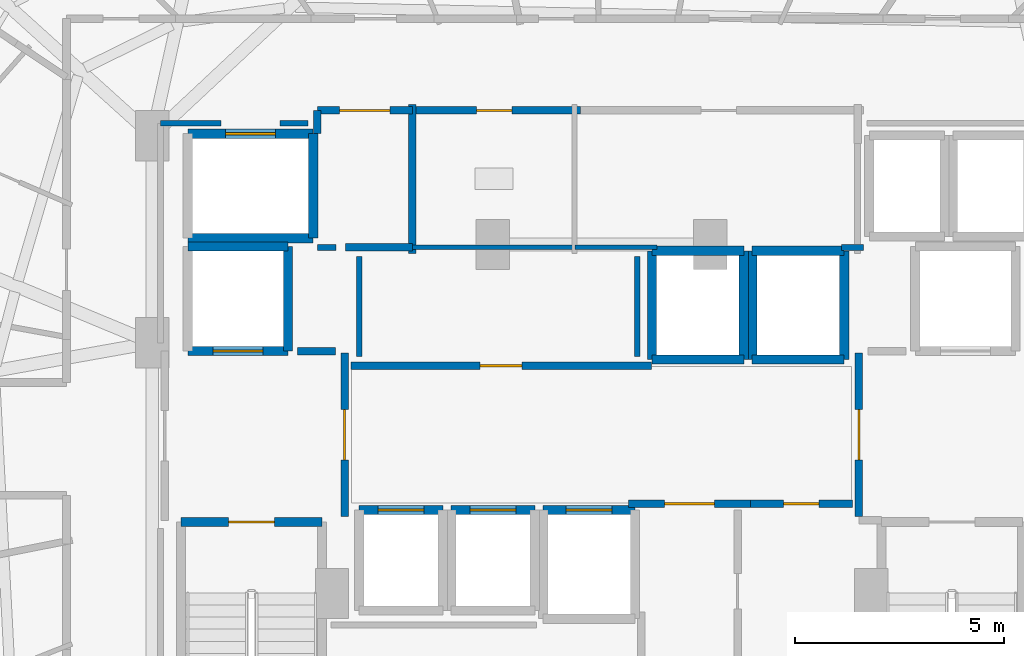
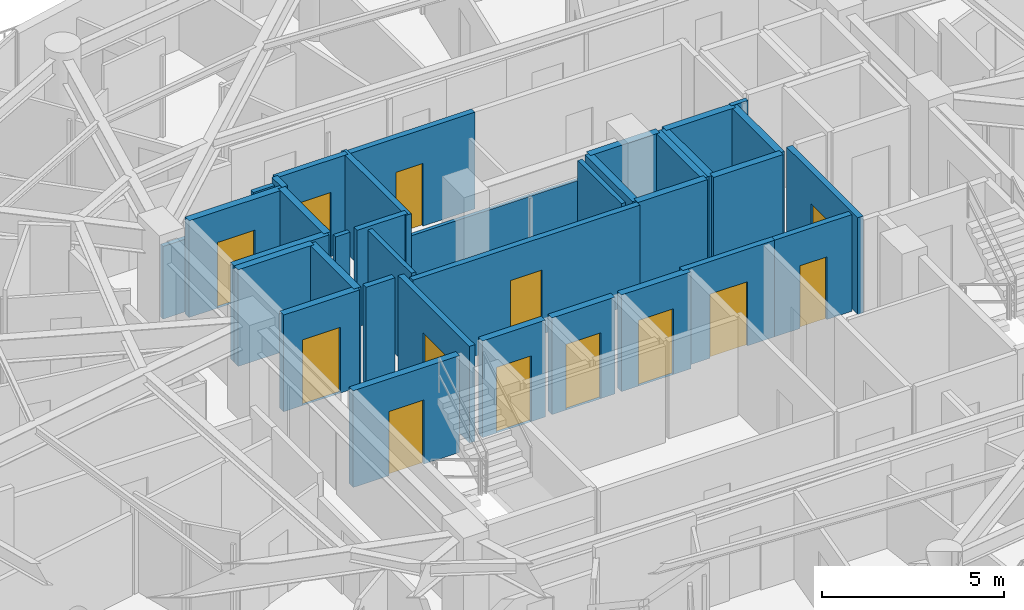
# One storey, part 23 of 30: 37 walls, 13 doors, 13 openings.
"""IFC4 building model written with IfcOpenShell, lengths in metres."""

from ifc_helpers import new_model, si_unit, direction, frame, frame_2d, origin, place, context, subcontext, project, spatial, rectangle, extrude, material, layer, layer_set, type_object, element, fill, save


model = new_model("IFC4")

# Units and contexts
model_context = context("Model", 3, precision=1e-05, world=origin(), true_north=direction((0.0, 1.0)))
body_context = subcontext(model_context, "Body", "Model", "MODEL_VIEW")
ifc_project = project(units=[si_unit("LENGTHUNIT", "METRE"), si_unit("AREAUNIT", "SQUARE_METRE"), si_unit("VOLUMEUNIT", "CUBIC_METRE"), si_unit("PLANEANGLEUNIT", "RADIAN"), si_unit("MASSUNIT", "GRAM", prefix="KILO")], contexts=[model_context])

# Site, building, storey
site_placement = place(None, origin())
site = spatial("IfcSite", under=ifc_project, at=site_placement, CompositionType="ELEMENT")
building_placement = place(site_placement, origin())
building = spatial("IfcBuilding", under=site, at=building_placement, Name="Vorneva Point Tower", CompositionType="ELEMENT")
storey_placement = place(building_placement, frame((0.0, 0.0, 153.60009765625)))
storey = spatial("IfcBuildingStorey", under=building, at=storey_placement, Name="L41", CompositionType="ELEMENT", Elevation=153.60009765625)

# Wall, opening, door
ifc_material_1 = material(Name="Concrete B60 (C50/60)", Category="concrete")
ifc_layer_1 = layer(ifc_material_1, 0.5)
ifc_layer_set_1 = layer_set([ifc_layer_1], Name="Concrete B60 (C50/60)")
wall_type_1 = type_object("IfcWallType", Name="WL-CORE-500", PredefinedType="SHEAR", material=ifc_layer_set_1)
wall_1_placement = place(storey_placement, frame((28.10009765625, 28.0, 0.0), z_axis=(0.0, 0.0, 1.0), x_axis=(1.0, 0.0, 0.0)))
wall_1 = element("IfcWall", 1, at=wall_1_placement, inside=storey, type_object=wall_type_1, Name="L41 Lift FFL1 Shaft Wall -Y", PredefinedType="SHEAR", context=body_context, shape_type="SweptSolid", body=[
    extrude(rectangle(XDim=2.39990234375, YDim=0.219970703125, at=frame_2d((1.199951171875, 0.0))), origin(), (0.0, 0.0, 1.0), 3.239990234375),
])
opening_1_placement = place(wall_1_placement, frame((0.60009765625, 0.0, 0.0)))
opening_1 = element("IfcOpeningElement", 2, at=opening_1_placement, cuts=wall_1, Name="Opening LD-02", PredefinedType="OPENING", context=body_context, shape_type="SweptSolid", body=[
    extrude(rectangle(XDim=1.199951171875, YDim=2.199951171875, at=frame_2d((0.60009765625, 1.10009765625))), frame((0.0, 0.125, 0.0), z_axis=(0.0, -1.0, 0.0), x_axis=(1.0, 0.0, 0.0)), (0.0, 0.0, 1.0), 0.249755859375),
])
ifc_material_2 = material(Name="Brushed stainless steel S304", Category="steel")
door_type_1 = type_object("IfcDoorType", Name="LD-FIRE-1200", OperationType="SLIDING_TO_LEFT", PredefinedType="DOOR", material=ifc_material_2)
door_1_placement = place(opening_1_placement, origin())
door_1 = element("IfcDoor", 3, at=door_1_placement, inside=storey, type_object=door_type_1, Name="L41 Lift FFL1 Sliding Landing Door", OperationType="SLIDING_TO_LEFT", OverallHeight=2.199951171875, OverallWidth=1.199951171875, PredefinedType="DOOR", context=body_context, shape_type="SweptSolid", body=[
    extrude(rectangle(XDim=1.199951171875, YDim=2.199951171875, at=frame_2d((0.60009765625, 1.10009765625))), frame((0.0, 0.02490234375, 0.0), z_axis=(0.0, -1.0, 0.0), x_axis=(1.0, 0.0, 0.0)), (0.0, 0.0, 1.0), 0.050048828125),
])
fill(opening_1, door_1)

# Walls
wall_2_placement = place(storey_placement, frame((30.5, 28.0, 0.0), z_axis=(0.0, 0.0, 1.0), x_axis=(0.0, 1.0, 0.0)))
element("IfcWall", 4, at=wall_2_placement, inside=storey, type_object=wall_type_1, Name="L41 Lift FFL1 Shaft Wall +X", PredefinedType="SHEAR", context=body_context, shape_type="SweptSolid", body=[
    extrude(rectangle(XDim=2.5, YDim=0.219970703125, at=frame_2d((1.25, 0.0))), origin(), (0.0, 0.0, 1.0), 3.239990234375),
])
wall_3_placement = place(storey_placement, frame((30.5, 30.5, 0.0), z_axis=(0.0, 0.0, 1.0), x_axis=(-1.0, 0.0, 0.0)))
element("IfcWall", 5, at=wall_3_placement, inside=storey, type_object=wall_type_1, Name="L41 Lift FFL1 Shaft Wall +Y", PredefinedType="SHEAR", context=body_context, shape_type="SweptSolid", body=[
    extrude(rectangle(XDim=2.39990234375, YDim=0.219970703125, at=frame_2d((1.199951171875, 0.0))), origin(), (0.0, 0.0, 1.0), 3.239990234375),
])
ifc_material_3 = material(Name="Fire-rated acoustic gypsum stud partition", Category="gypsum")
ifc_layer_2 = layer(ifc_material_3, 0.110107421875)
ifc_layer_set_2 = layer_set([ifc_layer_2], Name="Fire-rated acoustic gypsum stud partition")
wall_type_2 = type_object("IfcWallType", Name="WL-PART-110", PredefinedType="PARTITIONING", material=ifc_layer_set_2)
wall_4_placement = place(storey_placement, frame((33.360107421875, 30.47998046875, 0.0), z_axis=(0.0, 0.0, 1.0), x_axis=(1.0, 0.0, 0.0)))
element("IfcWall", 6, at=wall_4_placement, inside=storey, type_object=wall_type_2, Name="L41 Interior Partition 020", PredefinedType="PARTITIONING", context=body_context, shape_type="SweptSolid", body=[
    extrude(rectangle(XDim=4.114990234375, YDim=0.110107421875, at=frame_2d((2.0576171875, 0.0))), origin(), (0.0, 0.0, 1.0), 2.431884765625),
])
wall_5_placement = place(storey_placement, frame((37.364990234375, 30.47998046875, 0.0), z_axis=(0.0, 0.0, 1.0), x_axis=(1.0, 0.0, 0.0)))
element("IfcWall", 7, at=wall_5_placement, inside=storey, type_object=wall_type_2, Name="L41 Interior Partition 022", PredefinedType="PARTITIONING", context=body_context, shape_type="SweptSolid", body=[
    extrude(rectangle(XDim=1.955078125, YDim=0.110107421875, at=frame_2d((0.9775390625, 0.0))), origin(), (0.0, 0.0, 1.0), 2.431884765625),
])
ifc_layer_3 = layer(ifc_material_3, 0.139892578125)
ifc_layer_set_3 = layer_set([ifc_layer_3], Name="Fire-rated acoustic gypsum stud partition")
wall_type_3 = type_object("IfcWallType", Name="WL-PART-140", PredefinedType="PARTITIONING", material=ifc_layer_set_3)
wall_6_placement = place(storey_placement, frame((31.199951171875, 30.47998046875, 0.0), z_axis=(0.0, 0.0, 1.0), x_axis=(1.0, 0.0, 0.0)))
element("IfcWall", 8, at=wall_6_placement, inside=storey, type_object=wall_type_3, Name="L41 Interior Closure Partition 138", PredefinedType="PARTITIONING", context=body_context, shape_type="SweptSolid", body=[
    extrude(rectangle(XDim=0.449951171875, YDim=0.139892578125, at=frame_2d((0.22509765625, 0.0))), origin(), (0.0, 0.0, 1.0), 3.239990234375),
])
wall_7_placement = place(storey_placement, frame((43.735107421875, 30.47998046875, 0.0), z_axis=(0.0, 0.0, 1.0), x_axis=(1.0, 0.0, 0.0)))
element("IfcWall", 9, at=wall_7_placement, inside=storey, type_object=wall_type_3, Name="L41 Interior Closure Partition 139", PredefinedType="PARTITIONING", context=body_context, shape_type="SweptSolid", body=[
    extrude(rectangle(XDim=0.52490234375, YDim=0.139892578125, at=frame_2d((0.262451171875, 0.0))), origin(), (0.0, 0.0, 1.0), 3.239990234375),
])
for number, where, z_axis, x_axis, name in (
    (10, (32.199951171875, 30.260009765625, 0.0), (0.0, 0.0, 1.0), (0.0, -1.0, 0.0), "L41 Interior Closure Partition 142"),
    (11, (38.85009765625, 27.8701171875, 0.0), (0.0, 0.0, 1.0), (0.0, 1.0, 0.0), "L41 Interior Closure Partition 143"),
):
    element("IfcWall", number, at=place(storey_placement, frame(where, z_axis=z_axis, x_axis=x_axis)), inside=storey, type_object=wall_type_3, Name=name, PredefinedType="PARTITIONING", context=body_context, shape_type="SweptSolid", body=[
        extrude(rectangle(XDim=2.389892578125, YDim=0.139892578125, at=frame_2d((1.19482421875, 0.0))), origin(), (0.0, 0.0, 1.0), 3.239990234375),
    ])
wall_8_placement = place(storey_placement, frame((30.97998046875, 33.449951171875, 0.0), z_axis=(0.0, 0.0, 1.0), x_axis=(-1.0, 0.0, 0.0)))
element("IfcWall", 12, at=wall_8_placement, inside=storey, type_object=wall_type_3, Name="L41 Interior Closure Partition 148", PredefinedType="PARTITIONING", context=body_context, shape_type="SweptSolid", body=[
    extrude(rectangle(XDim=0.674072265625, YDim=0.139892578125, at=frame_2d((0.3369140625, 0.0))), origin(), (0.0, 0.0, 1.0), 3.239990234375),
])
wall_9_placement = place(storey_placement, frame((28.89404296875, 33.449951171875, 0.0), z_axis=(0.0, 0.0, 1.0), x_axis=(-1.0, 0.0, 0.0)))
element("IfcWall", 13, at=wall_9_placement, inside=storey, type_object=wall_type_3, Name="L41 Interior Closure Partition 149", PredefinedType="PARTITIONING", context=body_context, shape_type="SweptSolid", body=[
    extrude(rectangle(XDim=1.444091796875, YDim=0.139892578125, at=frame_2d((0.72216796875, 0.0))), origin(), (0.0, 0.0, 1.0), 2.431884765625),
])

# Wall, opening, door
ifc_material_4 = material(Name="Autoclaved aerated concrete blockwork", Category="masonry")
ifc_layer_4 = layer(ifc_material_4, 0.179931640625)
ifc_layer_set_4 = layer_set([ifc_layer_4], Name="Autoclaved aerated concrete blockwork")
wall_type_4 = type_object("IfcWallType", Name="WL-PART-180", PredefinedType="PARTITIONING", material=ifc_layer_set_4)
wall_10_placement = place(storey_placement, frame((31.85009765625, 24.044921875, 0.0), z_axis=(0.0, 0.0, 1.0), x_axis=(0.0, 1.0, 0.0)))
wall_10 = element("IfcWall", 14, at=wall_10_placement, inside=storey, type_object=wall_type_4, Name="L41 Interior Partition 001", PredefinedType="PARTITIONING", context=body_context, shape_type="SweptSolid", body=[
    extrude(rectangle(XDim=3.91015625, YDim=0.179931640625, at=frame_2d((1.955078125, 0.0))), origin(), (0.0, 0.0, 1.0), 3.239990234375),
])
opening_2_placement = place(wall_10_placement, frame((1.35498046875, 0.0, 0.0)))
opening_2 = element("IfcOpeningElement", 15, at=opening_2_placement, cuts=wall_10, Name="Opening FD-02", PredefinedType="OPENING", context=body_context, shape_type="SweptSolid", body=[
    extrude(rectangle(XDim=1.199951171875, YDim=2.14990234375, at=frame_2d((0.60009765625, 1.074951171875))), frame((0.0, 0.10498046875, 0.0), z_axis=(0.0, -1.0, 0.0), x_axis=(1.0, 0.0, 0.0)), (0.0, 0.0, 1.0), 0.209716796875),
])
ifc_material_5 = material(Name="Fire-rated powder-coated steel", Category="steel")
door_type_2 = type_object("IfcDoorType", Name="DR-FFL-1200", OperationType="NOTDEFINED", PredefinedType="DOOR", material=ifc_material_5)
door_2_placement = place(opening_2_placement, origin())
door_2 = element("IfcDoor", 16, at=door_2_placement, inside=storey, type_object=door_type_2, Name="L41 Door West Firefighting Lobby / Central Lift Lobby", OperationType="SINGLE_SWING_LEFT", OverallHeight=2.14990234375, OverallWidth=1.199951171875, PredefinedType="DOOR", context=body_context, shape_type="SweptSolid", body=[
    extrude(rectangle(XDim=1.199951171875, YDim=2.14990234375, at=frame_2d((0.60009765625, 1.074951171875))), frame((0.0, 0.02490234375, 0.0), z_axis=(0.0, -1.0, 0.0), x_axis=(1.0, 0.0, 0.0)), (0.0, 0.0, 1.0), 0.050048828125),
])
fill(opening_2, door_2)

wall_11_placement = place(storey_placement, frame((44.14990234375, 27.955078125, 0.0), z_axis=(0.0, 0.0, 1.0), x_axis=(0.0, -1.0, 0.0)))
wall_11 = element("IfcWall", 17, at=wall_11_placement, inside=storey, type_object=wall_type_4, Name="L41 Interior Partition 003", PredefinedType="PARTITIONING", context=body_context, shape_type="SweptSolid", body=[
    extrude(rectangle(XDim=3.91015625, YDim=0.179931640625, at=frame_2d((1.955078125, 0.0))), origin(), (0.0, 0.0, 1.0), 3.239990234375),
])
opening_3_placement = place(wall_11_placement, frame((1.35498046875, 0.0, 0.0)))
opening_3 = element("IfcOpeningElement", 18, at=opening_3_placement, cuts=wall_11, Name="Opening FD-02", PredefinedType="OPENING", context=body_context, shape_type="SweptSolid", body=[
    extrude(rectangle(XDim=1.199951171875, YDim=2.14990234375, at=frame_2d((0.60009765625, 1.074951171875))), frame((0.0, 0.10498046875, 0.0), z_axis=(0.0, -1.0, 0.0), x_axis=(1.0, 0.0, 0.0)), (0.0, 0.0, 1.0), 0.209716796875),
])
door_3_placement = place(opening_3_placement, origin())
door_3 = element("IfcDoor", 19, at=door_3_placement, inside=storey, type_object=door_type_2, Name="L41 Door East Firefighting Lobby / Central Lift Lobby", OperationType="SINGLE_SWING_LEFT", OverallHeight=2.14990234375, OverallWidth=1.199951171875, PredefinedType="DOOR", context=body_context, shape_type="SweptSolid", body=[
    extrude(rectangle(XDim=1.199951171875, YDim=2.14990234375, at=frame_2d((0.60009765625, 1.074951171875))), frame((0.0, 0.02490234375, 0.0), z_axis=(0.0, -1.0, 0.0), x_axis=(1.0, 0.0, 0.0)), (0.0, 0.0, 1.0), 0.050048828125),
])
fill(opening_3, door_3)

# Walls
wall_12_placement = place(storey_placement, frame((33.469970703125, 30.340087890625, 0.0), z_axis=(0.0, 0.0, 1.0), x_axis=(0.0, 1.0, 0.0)))
element("IfcWall", 20, at=wall_12_placement, inside=storey, type_object=wall_type_4, Name="L41 Interior Partition 006", PredefinedType="PARTITIONING", context=body_context, shape_type="SweptSolid", body=[
    extrude(rectangle(XDim=3.559814453125, YDim=0.179931640625, at=frame_2d((1.77978515625, 0.0))), origin(), (0.0, 0.0, 1.0), 3.239990234375),
])
wall_13_placement = place(storey_placement, frame((31.8701171875, 30.47998046875, 0.0), z_axis=(0.0, 0.0, 1.0), x_axis=(1.0, 0.0, 0.0)))
element("IfcWall", 21, at=wall_13_placement, inside=storey, type_object=wall_type_4, Name="L41 Interior Partition 007", PredefinedType="PARTITIONING", context=body_context, shape_type="SweptSolid", body=[
    extrude(rectangle(XDim=1.599853515625, YDim=0.179931640625, at=frame_2d((0.7998046875, 0.0))), origin(), (0.0, 0.0, 1.0), 3.239990234375),
])

# Wall, opening, door
wall_14_placement = place(storey_placement, frame((33.469970703125, 33.760009765625, 0.0), z_axis=(0.0, 0.0, 1.0), x_axis=(-1.0, 0.0, 0.0)))
wall_14 = element("IfcWall", 22, at=wall_14_placement, inside=storey, type_object=wall_type_4, Name="L41 Interior Partition 008", PredefinedType="PARTITIONING", context=body_context, shape_type="SweptSolid", body=[
    extrude(rectangle(XDim=2.27001953125, YDim=0.179931640625, at=frame_2d((1.135009765625, 0.0))), origin(), (0.0, 0.0, 1.0), 3.239990234375),
])
opening_4_placement = place(wall_14_placement, frame((0.534912109375, 0.0, 0.0)))
opening_4 = element("IfcOpeningElement", 23, at=opening_4_placement, cuts=wall_14, Name="Opening FD-02", PredefinedType="OPENING", context=body_context, shape_type="SweptSolid", body=[
    extrude(rectangle(XDim=1.199951171875, YDim=2.14990234375, at=frame_2d((0.60009765625, 1.074951171875))), frame((0.0, 0.10498046875, 0.0), z_axis=(0.0, -1.0, 0.0), x_axis=(1.0, 0.0, 0.0)), (0.0, 0.0, 1.0), 0.209716796875),
])
door_4_placement = place(opening_4_placement, origin())
door_4 = element("IfcDoor", 24, at=door_4_placement, inside=storey, type_object=door_type_2, Name="L41 Door Service Lift Lobby / L41 Circulation Corridor", OperationType="SINGLE_SWING_LEFT", OverallHeight=2.14990234375, OverallWidth=1.199951171875, PredefinedType="DOOR", context=body_context, shape_type="SweptSolid", body=[
    extrude(rectangle(XDim=1.199951171875, YDim=2.14990234375, at=frame_2d((0.60009765625, 1.074951171875))), frame((0.0, 0.02490234375, 0.0), z_axis=(0.0, -1.0, 0.0), x_axis=(1.0, 0.0, 0.0)), (0.0, 0.0, 1.0), 0.050048828125),
])
fill(opening_4, door_4)

# Wall
wall_15_placement = place(storey_placement, frame((31.199951171875, 33.760009765625, 0.0), z_axis=(0.0, 0.0, 1.0), x_axis=(0.0, -1.0, 0.0)))
element("IfcWall", 25, at=wall_15_placement, inside=storey, type_object=wall_type_4, Name="L41 Interior Partition 009", PredefinedType="PARTITIONING", context=body_context, shape_type="SweptSolid", body=[
    extrude(rectangle(XDim=0.56005859375, YDim=0.179931640625, at=frame_2d((0.280029296875, 0.0))), origin(), (0.0, 0.0, 1.0), 3.239990234375),
])

# Wall, opening, door
wall_16_placement = place(storey_placement, frame((38.64501953125, 24.35009765625, 0.0), z_axis=(0.0, 0.0, 1.0), x_axis=(1.0, 0.0, 0.0)))
wall_16 = element("IfcWall", 26, at=wall_16_placement, inside=storey, type_object=wall_type_4, Name="L41 Interior Partition 010", PredefinedType="PARTITIONING", context=body_context, shape_type="SweptSolid", body=[
    extrude(rectangle(XDim=2.909912109375, YDim=0.179931640625, at=frame_2d((1.455078125, 0.0))), origin(), (0.0, 0.0, 1.0), 3.239990234375),
])
opening_5_placement = place(wall_16_placement, frame((0.85498046875, 0.0, 0.0)))
opening_5 = element("IfcOpeningElement", 27, at=opening_5_placement, cuts=wall_16, Name="Opening FD-02", PredefinedType="OPENING", context=body_context, shape_type="SweptSolid", body=[
    extrude(rectangle(XDim=1.199951171875, YDim=2.14990234375, at=frame_2d((0.60009765625, 1.074951171875))), frame((0.0, 0.10498046875, 0.0), z_axis=(0.0, -1.0, 0.0), x_axis=(1.0, 0.0, 0.0)), (0.0, 0.0, 1.0), 0.209716796875),
])
door_5_placement = place(opening_5_placement, origin())
door_5 = element("IfcDoor", 28, at=door_5_placement, inside=storey, type_object=door_type_2, Name="L41 Door Central Lift Lobby / Core Service Lobby", OperationType="SINGLE_SWING_RIGHT", OverallHeight=2.14990234375, OverallWidth=1.199951171875, PredefinedType="DOOR", context=body_context, shape_type="SweptSolid", body=[
    extrude(rectangle(XDim=1.199951171875, YDim=2.14990234375, at=frame_2d((0.60009765625, 1.074951171875))), frame((0.0, 0.02490234375, 0.0), z_axis=(0.0, -1.0, 0.0), x_axis=(1.0, 0.0, 0.0)), (0.0, 0.0, 1.0), 0.050048828125),
])
fill(opening_5, door_5)

wall_17_placement = place(storey_placement, frame((41.554931640625, 24.35009765625, 0.0), z_axis=(0.0, 0.0, 1.0), x_axis=(1.0, 0.0, 0.0)))
wall_17 = element("IfcWall", 29, at=wall_17_placement, inside=storey, type_object=wall_type_4, Name="L41 Interior Partition 011", PredefinedType="PARTITIONING", context=body_context, shape_type="SweptSolid", body=[
    extrude(rectangle(XDim=2.445068359375, YDim=0.179931640625, at=frame_2d((1.22265625, 0.0))), origin(), (0.0, 0.0, 1.0), 3.239990234375),
])
opening_6_placement = place(wall_17_placement, frame((0.797607421875, 0.0, 0.0)))
opening_6 = element("IfcOpeningElement", 30, at=opening_6_placement, cuts=wall_17, Name="Opening ID-02", PredefinedType="OPENING", context=body_context, shape_type="SweptSolid", body=[
    extrude(rectangle(XDim=0.85009765625, YDim=2.10009765625, at=frame_2d((0.425048828125, 1.050048828125))), frame((0.0, 0.10498046875, 0.0), z_axis=(0.0, -1.0, 0.0), x_axis=(1.0, 0.0, 0.0)), (0.0, 0.0, 1.0), 0.209716796875),
])
ifc_material_6 = material(Name="Engineered oak fire-rated door leaf", Category="wood")
door_type_3 = type_object("IfcDoorType", Name="DR-BATH-850", OperationType="NOTDEFINED", PredefinedType="DOOR", material=ifc_material_6)
door_6_placement = place(opening_6_placement, origin())
door_6 = element("IfcDoor", 31, at=door_6_placement, inside=storey, type_object=door_type_3, Name="L41 Door Central Lift Lobby / Cleaners Store", OperationType="SINGLE_SWING_LEFT", OverallHeight=2.10009765625, OverallWidth=0.85009765625, PredefinedType="DOOR", context=body_context, shape_type="SweptSolid", body=[
    extrude(rectangle(XDim=0.85009765625, YDim=2.10009765625, at=frame_2d((0.425048828125, 1.050048828125))), frame((0.0, 0.02490234375, 0.0), z_axis=(0.0, -1.0, 0.0), x_axis=(1.0, 0.0, 0.0)), (0.0, 0.0, 1.0), 0.050048828125),
])
fill(opening_6, door_6)

wall_18_placement = place(storey_placement, frame((39.18994140625, 27.64990234375, 0.0), z_axis=(0.0, 0.0, 1.0), x_axis=(-1.0, 0.0, 0.0)))
wall_18 = element("IfcWall", 32, at=wall_18_placement, inside=storey, type_object=wall_type_4, Name="L41 Interior Partition 012", PredefinedType="PARTITIONING", context=body_context, shape_type="SweptSolid", body=[
    extrude(rectangle(XDim=7.18994140625, YDim=0.179931640625, at=frame_2d((3.594970703125, 0.0))), origin(), (0.0, 0.0, 1.0), 3.239990234375),
])
opening_7_placement = place(wall_18_placement, frame((3.094970703125, 0.0, 0.0)))
opening_7 = element("IfcOpeningElement", 33, at=opening_7_placement, cuts=wall_18, Name="Opening UD-01", PredefinedType="OPENING", context=body_context, shape_type="SweptSolid", body=[
    extrude(rectangle(XDim=1.0, YDim=2.14990234375, at=frame_2d((0.5, 1.074951171875))), frame((0.0, 0.10498046875, 0.0), z_axis=(0.0, -1.0, 0.0), x_axis=(1.0, 0.0, 0.0)), (0.0, 0.0, 1.0), 0.209716796875),
])
door_type_4 = type_object("IfcDoorType", Name="DR-UNIT-1000", OperationType="NOTDEFINED", PredefinedType="DOOR", material=ifc_material_6)
door_7_placement = place(opening_7_placement, origin())
door_7 = element("IfcDoor", 34, at=door_7_placement, inside=storey, type_object=door_type_4, Name="L41 Door Central Lift Lobby / Reclaimed Core Meeting Room", OperationType="SINGLE_SWING_RIGHT", OverallHeight=2.14990234375, OverallWidth=1.0, PredefinedType="DOOR", context=body_context, shape_type="SweptSolid", body=[
    extrude(rectangle(XDim=1.0, YDim=2.14990234375, at=frame_2d((0.5, 1.074951171875))), frame((0.0, 0.02490234375, 0.0), z_axis=(0.0, -1.0, 0.0), x_axis=(1.0, 0.0, 0.0)), (0.0, 0.0, 1.0), 0.050048828125),
])
fill(opening_7, door_7)

wall_19_placement = place(storey_placement, frame((37.489990234375, 33.760009765625, 0.0), z_axis=(0.0, 0.0, 1.0), x_axis=(-1.0, 0.0, 0.0)))
wall_19 = element("IfcWall", 35, at=wall_19_placement, inside=storey, type_object=wall_type_4, Name="L41 Interior Partition 021", PredefinedType="PARTITIONING", context=body_context, shape_type="SweptSolid", body=[
    extrude(rectangle(XDim=4.1298828125, YDim=0.179931640625, at=frame_2d((2.06494140625, 0.0))), origin(), (0.0, 0.0, 1.0), 3.239990234375),
])
opening_8_placement = place(wall_19_placement, frame((1.639892578125, 0.0, 0.0)))
opening_8 = element("IfcOpeningElement", 36, at=opening_8_placement, cuts=wall_19, Name="Opening ID-02", PredefinedType="OPENING", context=body_context, shape_type="SweptSolid", body=[
    extrude(rectangle(XDim=0.85009765625, YDim=2.10009765625, at=frame_2d((0.425048828125, 1.050048828125))), frame((0.0, 0.10498046875, 0.0), z_axis=(0.0, -1.0, 0.0), x_axis=(1.0, 0.0, 0.0)), (0.0, 0.0, 1.0), 0.209716796875),
])
door_8_placement = place(opening_8_placement, origin())
door_8 = element("IfcDoor", 37, at=door_8_placement, inside=storey, type_object=door_type_3, Name="L41 Door Accessible WC / L41 Circulation Corridor", OperationType="SINGLE_SWING_RIGHT", OverallHeight=2.10009765625, OverallWidth=0.85009765625, PredefinedType="DOOR", context=body_context, shape_type="SweptSolid", body=[
    extrude(rectangle(XDim=0.85009765625, YDim=2.10009765625, at=frame_2d((0.425048828125, 1.050048828125))), frame((0.0, 0.02490234375, 0.0), z_axis=(0.0, -1.0, 0.0), x_axis=(1.0, 0.0, 0.0)), (0.0, 0.0, 1.0), 0.050048828125),
])
fill(opening_8, door_8)

# Wall
wall_20_placement = place(storey_placement, frame((31.635009765625, 28.0, 0.0), z_axis=(0.0, 0.0, 1.0), x_axis=(-1.0, 0.0, 0.0)))
element("IfcWall", 38, at=wall_20_placement, inside=storey, type_object=wall_type_4, Name="L41 Interior Closure Partition 136", PredefinedType="PARTITIONING", context=body_context, shape_type="SweptSolid", body=[
    extrude(rectangle(XDim=0.9150390625, YDim=0.179931640625, at=frame_2d((0.45751953125, 0.0))), origin(), (0.0, 0.0, 1.0), 3.239990234375),
])

# Wall, opening, door
ifc_material_7 = material(Name="Concrete B50 (C40/50)", Category="concrete")
ifc_layer_5 = layer(ifc_material_7, 0.219970703125)
ifc_layer_set_5 = layer_set([ifc_layer_5], Name="Concrete B50 (C40/50)")
wall_type_5 = type_object("IfcWallType", Name="WL-SHFT-220", PredefinedType="SOLIDWALL", material=ifc_layer_set_5)
wall_21_placement = place(storey_placement, frame((27.93994140625, 23.909912109375, 0.0), z_axis=(0.0, 0.0, 1.0), x_axis=(1.0, 0.0, 0.0)))
wall_21 = element("IfcWall", 39, at=wall_21_placement, inside=storey, type_object=wall_type_5, Name="L41 Exit Stair ST1 Shaft Wall near", PredefinedType="SOLIDWALL", context=body_context, shape_type="SweptSolid", body=[
    extrude(rectangle(XDim=3.3701171875, YDim=0.219970703125, at=frame_2d((1.68505859375, 0.0))), origin(), (0.0, 0.0, 1.0), 3.239990234375),
])
opening_9_placement = place(wall_21_placement, frame((1.135009765625, 0.0, 0.0)))
opening_9 = element("IfcOpeningElement", 40, at=opening_9_placement, cuts=wall_21, Name="Opening FD-01", PredefinedType="OPENING", context=body_context, shape_type="SweptSolid", body=[
    extrude(rectangle(XDim=1.10009765625, YDim=2.14990234375, at=frame_2d((0.550048828125, 1.074951171875))), frame((0.0, 0.125, 0.0), z_axis=(0.0, -1.0, 0.0), x_axis=(1.0, 0.0, 0.0)), (0.0, 0.0, 1.0), 0.249755859375),
])
door_type_5 = type_object("IfcDoorType", Name="DR-STAIR-1100", OperationType="NOTDEFINED", PredefinedType="DOOR", material=ifc_material_5)
door_9_placement = place(opening_9_placement, origin())
door_9 = element("IfcDoor", 41, at=door_9_placement, inside=storey, type_object=door_type_5, Name="L41 Exit Stair ST1 Fire Door", OperationType="SINGLE_SWING_LEFT", OverallHeight=2.14990234375, OverallWidth=1.10009765625, PredefinedType="DOOR", context=body_context, shape_type="SweptSolid", body=[
    extrude(rectangle(XDim=1.10009765625, YDim=2.14990234375, at=frame_2d((0.550048828125, 1.074951171875))), frame((0.0, 0.02490234375, 0.0), z_axis=(0.0, -1.0, 0.0), x_axis=(1.0, 0.0, 0.0)), (0.0, 0.0, 1.0), 0.050048828125),
])
fill(opening_9, door_9)

wall_22_placement = place(storey_placement, frame((34.199951171875, 24.199951171875, 0.0), z_axis=(0.0, 0.0, 1.0), x_axis=(-1.0, 0.0, 0.0)))
wall_22 = element("IfcWall", 42, at=wall_22_placement, inside=storey, type_object=wall_type_5, Name="L41 Lift PL4 Shaft Wall +Y", PredefinedType="SOLIDWALL", context=body_context, shape_type="SweptSolid", body=[
    extrude(rectangle(XDim=2.0, YDim=0.219970703125, at=frame_2d((1.0, 0.0))), origin(), (0.0, 0.0, 1.0), 3.239990234375),
])
opening_10_placement = place(wall_22_placement, frame((0.449951171875, 0.0, 0.0)))
opening_10 = element("IfcOpeningElement", 43, at=opening_10_placement, cuts=wall_22, Name="Opening LD-01", PredefinedType="OPENING", context=body_context, shape_type="SweptSolid", body=[
    extrude(rectangle(XDim=1.10009765625, YDim=2.199951171875, at=frame_2d((0.550048828125, 1.10009765625))), frame((0.0, 0.125, 0.0), z_axis=(0.0, -1.0, 0.0), x_axis=(1.0, 0.0, 0.0)), (0.0, 0.0, 1.0), 0.249755859375),
])
door_type_6 = type_object("IfcDoorType", Name="LD-PASS-1100", OperationType="SLIDING_TO_LEFT", PredefinedType="DOOR", material=ifc_material_2)
door_10_placement = place(opening_10_placement, origin())
door_10 = element("IfcDoor", 44, at=door_10_placement, inside=storey, type_object=door_type_6, Name="L41 Lift PL4 Sliding Landing Door", OperationType="SLIDING_TO_LEFT", OverallHeight=2.199951171875, OverallWidth=1.10009765625, PredefinedType="DOOR", context=body_context, shape_type="SweptSolid", body=[
    extrude(rectangle(XDim=1.10009765625, YDim=2.199951171875, at=frame_2d((0.550048828125, 1.10009765625))), frame((0.0, 0.02490234375, 0.0), z_axis=(0.0, -1.0, 0.0), x_axis=(1.0, 0.0, 0.0)), (0.0, 0.0, 1.0), 0.050048828125),
])
fill(opening_10, door_10)

wall_23_placement = place(storey_placement, frame((36.39990234375, 24.199951171875, 0.0), z_axis=(0.0, 0.0, 1.0), x_axis=(-1.0, 0.0, 0.0)))
wall_23 = element("IfcWall", 45, at=wall_23_placement, inside=storey, type_object=wall_type_5, Name="L41 Lift PL5 Shaft Wall +Y", PredefinedType="SOLIDWALL", context=body_context, shape_type="SweptSolid", body=[
    extrude(rectangle(XDim=2.0, YDim=0.219970703125, at=frame_2d((1.0, 0.0))), origin(), (0.0, 0.0, 1.0), 3.239990234375),
])
opening_11_placement = place(wall_23_placement, frame((0.449951171875, 0.0, 0.0)))
opening_11 = element("IfcOpeningElement", 46, at=opening_11_placement, cuts=wall_23, Name="Opening LD-01", PredefinedType="OPENING", context=body_context, shape_type="SweptSolid", body=[
    extrude(rectangle(XDim=1.10009765625, YDim=2.199951171875, at=frame_2d((0.550048828125, 1.10009765625))), frame((0.0, 0.125, 0.0), z_axis=(0.0, -1.0, 0.0), x_axis=(1.0, 0.0, 0.0)), (0.0, 0.0, 1.0), 0.249755859375),
])
door_11_placement = place(opening_11_placement, origin())
door_11 = element("IfcDoor", 47, at=door_11_placement, inside=storey, type_object=door_type_6, Name="L41 Lift PL5 Sliding Landing Door", OperationType="SLIDING_TO_LEFT", OverallHeight=2.199951171875, OverallWidth=1.10009765625, PredefinedType="DOOR", context=body_context, shape_type="SweptSolid", body=[
    extrude(rectangle(XDim=1.10009765625, YDim=2.199951171875, at=frame_2d((0.550048828125, 1.10009765625))), frame((0.0, 0.02490234375, 0.0), z_axis=(0.0, -1.0, 0.0), x_axis=(1.0, 0.0, 0.0)), (0.0, 0.0, 1.0), 0.050048828125),
])
fill(opening_11, door_11)

wall_24_placement = place(storey_placement, frame((38.800048828125, 24.199951171875, 0.0), z_axis=(0.0, 0.0, 1.0), x_axis=(-1.0, 0.0, 0.0)))
wall_24 = element("IfcWall", 48, at=wall_24_placement, inside=storey, type_object=wall_type_5, Name="L41 Lift PL6 Shaft Wall +Y", PredefinedType="SOLIDWALL", context=body_context, shape_type="SweptSolid", body=[
    extrude(rectangle(XDim=2.199951171875, YDim=0.219970703125, at=frame_2d((1.10009765625, 0.0))), origin(), (0.0, 0.0, 1.0), 3.239990234375),
])
opening_12_placement = place(wall_24_placement, frame((0.550048828125, 0.0, 0.0)))
opening_12 = element("IfcOpeningElement", 49, at=opening_12_placement, cuts=wall_24, Name="Opening LD-01", PredefinedType="OPENING", context=body_context, shape_type="SweptSolid", body=[
    extrude(rectangle(XDim=1.10009765625, YDim=2.199951171875, at=frame_2d((0.550048828125, 1.10009765625))), frame((0.0, 0.125, 0.0), z_axis=(0.0, -1.0, 0.0), x_axis=(1.0, 0.0, 0.0)), (0.0, 0.0, 1.0), 0.249755859375),
])
door_12_placement = place(opening_12_placement, origin())
door_12 = element("IfcDoor", 50, at=door_12_placement, inside=storey, type_object=door_type_6, Name="L41 Lift PL6 Sliding Landing Door", OperationType="SLIDING_TO_LEFT", OverallHeight=2.199951171875, OverallWidth=1.10009765625, PredefinedType="DOOR", context=body_context, shape_type="SweptSolid", body=[
    extrude(rectangle(XDim=1.10009765625, YDim=2.199951171875, at=frame_2d((0.550048828125, 1.10009765625))), frame((0.0, 0.02490234375, 0.0), z_axis=(0.0, -1.0, 0.0), x_axis=(1.0, 0.0, 0.0)), (0.0, 0.0, 1.0), 0.050048828125),
])
fill(opening_12, door_12)

# Walls
wall_25_placement = place(storey_placement, frame((39.199951171875, 27.800048828125, 0.0), z_axis=(0.0, 0.0, 1.0), x_axis=(1.0, 0.0, 0.0)))
element("IfcWall", 51, at=wall_25_placement, inside=storey, type_object=wall_type_5, Name="L41 Lift PL7 Shaft Wall -Y", PredefinedType="SOLIDWALL", context=body_context, shape_type="SweptSolid", body=[
    extrude(rectangle(XDim=2.199951171875, YDim=0.219970703125, at=frame_2d((1.10009765625, 0.0))), origin(), (0.0, 0.0, 1.0), 3.239990234375),
])
wall_26_placement = place(storey_placement, frame((41.39990234375, 27.800048828125, 0.0), z_axis=(0.0, 0.0, 1.0), x_axis=(0.0, 1.0, 0.0)))
element("IfcWall", 52, at=wall_26_placement, inside=storey, type_object=wall_type_5, Name="L41 Lift PL7 Shaft Wall +X", PredefinedType="SOLIDWALL", context=body_context, shape_type="SweptSolid", body=[
    extrude(rectangle(XDim=2.599853515625, YDim=0.219970703125, at=frame_2d((1.2998046875, 0.0))), origin(), (0.0, 0.0, 1.0), 3.239990234375),
])
wall_27_placement = place(storey_placement, frame((41.39990234375, 30.39990234375, 0.0), z_axis=(0.0, 0.0, 1.0), x_axis=(-1.0, 0.0, 0.0)))
element("IfcWall", 53, at=wall_27_placement, inside=storey, type_object=wall_type_5, Name="L41 Lift PL7 Shaft Wall +Y", PredefinedType="SOLIDWALL", context=body_context, shape_type="SweptSolid", body=[
    extrude(rectangle(XDim=2.199951171875, YDim=0.219970703125, at=frame_2d((1.10009765625, 0.0))), origin(), (0.0, 0.0, 1.0), 3.239990234375),
])
wall_28_placement = place(storey_placement, frame((39.199951171875, 30.39990234375, 0.0), z_axis=(0.0, 0.0, 1.0), x_axis=(0.0, -1.0, 0.0)))
element("IfcWall", 54, at=wall_28_placement, inside=storey, type_object=wall_type_5, Name="L41 Lift PL7 Shaft Wall -X", PredefinedType="SOLIDWALL", context=body_context, shape_type="SweptSolid", body=[
    extrude(rectangle(XDim=2.599853515625, YDim=0.219970703125, at=frame_2d((1.2998046875, 0.0))), origin(), (0.0, 0.0, 1.0), 3.239990234375),
])
wall_29_placement = place(storey_placement, frame((41.60009765625, 27.800048828125, 0.0), z_axis=(0.0, 0.0, 1.0), x_axis=(1.0, 0.0, 0.0)))
element("IfcWall", 55, at=wall_29_placement, inside=storey, type_object=wall_type_5, Name="L41 Lift PL8 Shaft Wall -Y", PredefinedType="SOLIDWALL", context=body_context, shape_type="SweptSolid", body=[
    extrude(rectangle(XDim=2.199951171875, YDim=0.219970703125, at=frame_2d((1.10009765625, 0.0))), origin(), (0.0, 0.0, 1.0), 3.239990234375),
])
wall_30_placement = place(storey_placement, frame((43.800048828125, 27.800048828125, 0.0), z_axis=(0.0, 0.0, 1.0), x_axis=(0.0, 1.0, 0.0)))
element("IfcWall", 56, at=wall_30_placement, inside=storey, type_object=wall_type_5, Name="L41 Lift PL8 Shaft Wall +X", PredefinedType="SOLIDWALL", context=body_context, shape_type="SweptSolid", body=[
    extrude(rectangle(XDim=2.599853515625, YDim=0.219970703125, at=frame_2d((1.2998046875, 0.0))), origin(), (0.0, 0.0, 1.0), 3.239990234375),
])
wall_31_placement = place(storey_placement, frame((43.800048828125, 30.39990234375, 0.0), z_axis=(0.0, 0.0, 1.0), x_axis=(-1.0, 0.0, 0.0)))
element("IfcWall", 57, at=wall_31_placement, inside=storey, type_object=wall_type_5, Name="L41 Lift PL8 Shaft Wall +Y", PredefinedType="SOLIDWALL", context=body_context, shape_type="SweptSolid", body=[
    extrude(rectangle(XDim=2.199951171875, YDim=0.219970703125, at=frame_2d((1.10009765625, 0.0))), origin(), (0.0, 0.0, 1.0), 3.239990234375),
])
wall_32_placement = place(storey_placement, frame((41.60009765625, 30.39990234375, 0.0), z_axis=(0.0, 0.0, 1.0), x_axis=(0.0, -1.0, 0.0)))
element("IfcWall", 58, at=wall_32_placement, inside=storey, type_object=wall_type_5, Name="L41 Lift PL8 Shaft Wall -X", PredefinedType="SOLIDWALL", context=body_context, shape_type="SweptSolid", body=[
    extrude(rectangle(XDim=2.599853515625, YDim=0.219970703125, at=frame_2d((1.2998046875, 0.0))), origin(), (0.0, 0.0, 1.0), 3.239990234375),
])
wall_33_placement = place(storey_placement, frame((28.10009765625, 30.699951171875, 0.0), z_axis=(0.0, 0.0, 1.0), x_axis=(1.0, 0.0, 0.0)))
element("IfcWall", 59, at=wall_33_placement, inside=storey, type_object=wall_type_5, Name="L41 Lift SVL1 Shaft Wall -Y", PredefinedType="SOLIDWALL", context=body_context, shape_type="SweptSolid", body=[
    extrude(rectangle(XDim=3.0, YDim=0.219970703125, at=frame_2d((1.5, 0.0))), origin(), (0.0, 0.0, 1.0), 3.239990234375),
])
wall_34_placement = place(storey_placement, frame((31.10009765625, 30.699951171875, 0.0), z_axis=(0.0, 0.0, 1.0), x_axis=(0.0, 1.0, 0.0)))
element("IfcWall", 60, at=wall_34_placement, inside=storey, type_object=wall_type_5, Name="L41 Lift SVL1 Shaft Wall +X", PredefinedType="SOLIDWALL", context=body_context, shape_type="SweptSolid", body=[
    extrude(rectangle(XDim=2.5, YDim=0.219970703125, at=frame_2d((1.25, 0.0))), origin(), (0.0, 0.0, 1.0), 3.239990234375),
])

# Wall, opening, door
wall_35_placement = place(storey_placement, frame((31.10009765625, 33.199951171875, 0.0), z_axis=(0.0, 0.0, 1.0), x_axis=(-1.0, 0.0, 0.0)))
wall_35 = element("IfcWall", 61, at=wall_35_placement, inside=storey, type_object=wall_type_5, Name="L41 Lift SVL1 Shaft Wall +Y", PredefinedType="SOLIDWALL", context=body_context, shape_type="SweptSolid", body=[
    extrude(rectangle(XDim=3.0, YDim=0.219970703125, at=frame_2d((1.5, 0.0))), origin(), (0.0, 0.0, 1.0), 3.239990234375),
])
opening_13_placement = place(wall_35_placement, frame((0.89990234375, 0.0, 0.0)))
opening_13 = element("IfcOpeningElement", 62, at=opening_13_placement, cuts=wall_35, Name="Opening LD-02", PredefinedType="OPENING", context=body_context, shape_type="SweptSolid", body=[
    extrude(rectangle(XDim=1.199951171875, YDim=2.199951171875, at=frame_2d((0.60009765625, 1.10009765625))), frame((0.0, 0.125, 0.0), z_axis=(0.0, -1.0, 0.0), x_axis=(1.0, 0.0, 0.0)), (0.0, 0.0, 1.0), 0.249755859375),
])
door_13_placement = place(opening_13_placement, origin())
door_13 = element("IfcDoor", 63, at=door_13_placement, inside=storey, type_object=door_type_1, Name="L41 Lift SVL1 Sliding Landing Door", OperationType="SLIDING_TO_LEFT", OverallHeight=2.199951171875, OverallWidth=1.199951171875, PredefinedType="DOOR", context=body_context, shape_type="SweptSolid", body=[
    extrude(rectangle(XDim=1.199951171875, YDim=2.199951171875, at=frame_2d((0.60009765625, 1.10009765625))), frame((0.0, 0.02490234375, 0.0), z_axis=(0.0, -1.0, 0.0), x_axis=(1.0, 0.0, 0.0)), (0.0, 0.0, 1.0), 0.050048828125),
])
fill(opening_13, door_13)

save(model, "model.ifc")
